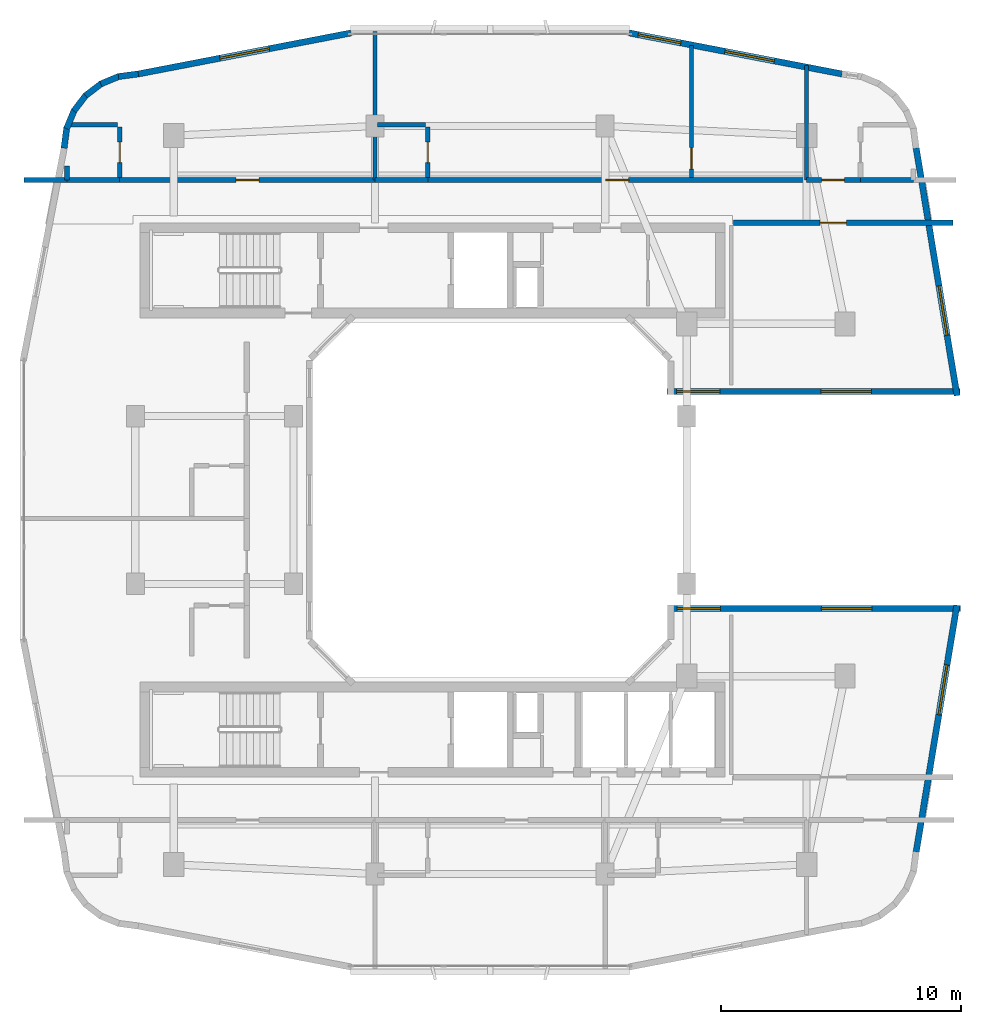
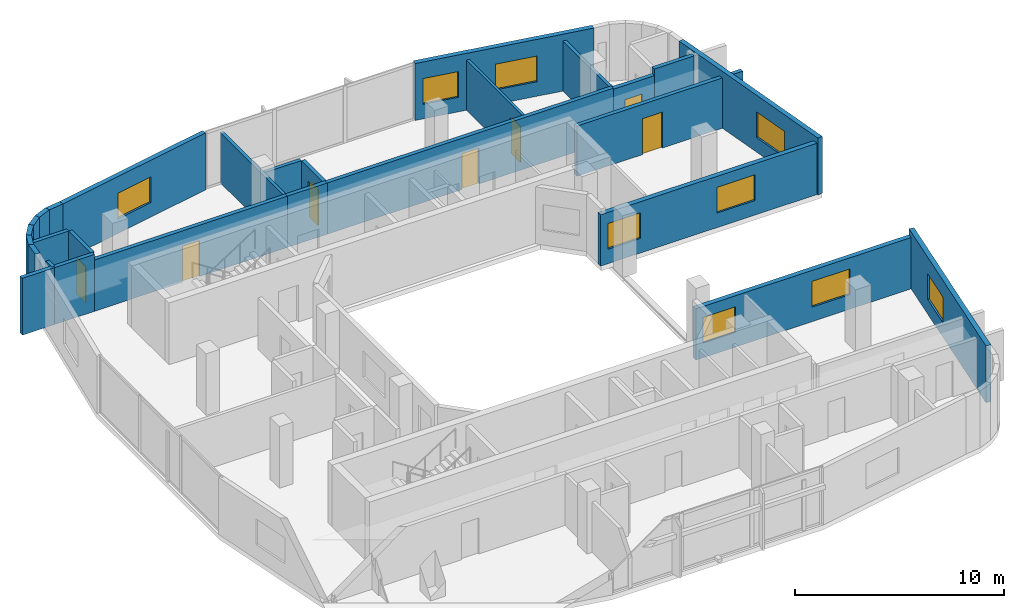
# One storey, part 7 of 12: 28 walls, 9 windows, 7 doors, 16 openings.
"""IFC4 building model written with IfcOpenShell, lengths in metres."""

import ifcopenshell
import ifcopenshell.guid

model = None  # the IFC model being written
_history = None  # IfcOwnerHistory: only IFC2X3 demands one
_inside = {}  # id of a spatial element -> (the spatial element, [elements in it])
_under = {}  # id of a project, library or spatial element -> (it, [spatial elements below it])
_declared = {}  # id of a project -> (the project, [libraries it declares])
_typed = {}  # id of a type object -> (the type object, [elements of that type])
_made_of = {}  # id of a material, layer set ... -> (it, [elements and type objects made of it])


def new_model(schema):
    """Start an empty IFC model of exactly this schema.

    Asked for "IFC4X3", IfcOpenShell would pick the latest addendum, in which some entities
    have other attributes; the version numbers below select the first issue.
    IFC2X3 requires an IfcOwnerHistory on every rooted entity: one is made here for all.
    """
    global model, _history
    if schema == "IFC4X3":
        model = ifcopenshell.file(schema_version=(4, 3, 0, 0))
    else:
        model = ifcopenshell.file(schema=schema)
    _inside.clear()
    _under.clear()
    _declared.clear()
    _typed.clear()
    _made_of.clear()
    _history = None
    if model.schema == "IFC2X3":
        org = make("IfcOrganization", Name="unknown")
        user = make(
            "IfcPersonAndOrganization",
            ThePerson=make("IfcPerson", FamilyName="unknown"),
            TheOrganization=org,
        )
        app = make(
            "IfcApplication",
            ApplicationDeveloper=org,
            Version="unknown",
            ApplicationFullName="unknown",
            ApplicationIdentifier="unknown",
        )
        _history = make(
            "IfcOwnerHistory",
            OwningUser=user,
            OwningApplication=app,
            ChangeAction="ADDED",
            CreationDate=0,
        )
    return model


def make(cls, **values):
    """One entity of the class cls with the attributes given. An attribute that is None is left unset."""
    return model.create_entity(
        cls, **{name: value for name, value in values.items() if value is not None}
    )


def rooted(cls, **values):
    """An entity with a GlobalId (a new one), such as an element, a storey or a relation."""
    return make(cls, GlobalId=ifcopenshell.guid.new(), OwnerHistory=_history, **values)


def si_unit(unit_type, name, prefix=None):
    """IfcSIUnit, for example si_unit("LENGTHUNIT", "METRE", prefix="MILLI")."""
    return make("IfcSIUnit", UnitType=unit_type, Prefix=prefix, Name=name)


def derived_unit(unit_type, elements):
    """IfcDerivedUnit: a product of units, each with its exponent."""
    return make(
        "IfcDerivedUnit",
        Elements=[
            make("IfcDerivedUnitElement", Unit=unit, Exponent=power)
            for unit, power in elements
        ],
        UnitType=unit_type,
    )


def assignment(units):
    """IfcUnitAssignment: the units of a project."""
    return None if units is None else make("IfcUnitAssignment", Units=units)


def point(xyz):
    """IfcCartesianPoint."""
    return None if xyz is None else make("IfcCartesianPoint", Coordinates=xyz)


def direction(xyz):
    """IfcDirection."""
    return None if xyz is None else make("IfcDirection", DirectionRatios=xyz)


def frame(location, z_axis=None, x_axis=None):
    """IfcAxis2Placement3D, a coordinate frame: its origin and axes. An axis left out is left unset."""
    return make(
        "IfcAxis2Placement3D",
        Location=point(location),
        Axis=direction(z_axis),
        RefDirection=direction(x_axis),
    )


def frame_2d(location, x_axis=None):
    """IfcAxis2Placement2D, a coordinate frame in the plane: its origin and x axis."""
    return make(
        "IfcAxis2Placement2D", Location=point(location), RefDirection=direction(x_axis)
    )


def origin():
    """The frame at (0, 0, 0) with its axes left unset."""
    return frame((0.0, 0.0, 0.0))


def place(relative_to, where):
    """IfcLocalPlacement: puts the frame where relative to a parent placement (None: the world)."""
    return make(
        "IfcLocalPlacement", PlacementRelTo=relative_to, RelativePlacement=where
    )


def context(
    kind, dimensions, precision=None, world=None, true_north=None, identifier=None
):
    """IfcGeometricRepresentationContext, for example the 3D "Model" context."""
    return make(
        "IfcGeometricRepresentationContext",
        ContextIdentifier=identifier,
        ContextType=kind,
        CoordinateSpaceDimension=dimensions,
        Precision=precision,
        WorldCoordinateSystem=world,
        TrueNorth=true_north,
    )


def subcontext(parent, identifier, kind, view, scale=None):
    """IfcGeometricRepresentationSubContext, for example "Body" below "Model"."""
    return make(
        "IfcGeometricRepresentationSubContext",
        ContextIdentifier=identifier,
        ContextType=kind,
        ParentContext=parent,
        TargetScale=scale,
        TargetView=view,
    )


def project(units=None, contexts=None):
    """IfcProject with its units and contexts."""
    return rooted(
        "IfcProject",
        Name="project",
        RepresentationContexts=contexts,
        UnitsInContext=assignment(units),
    )


def spatial(cls, under=None, at=None, **own):
    """A site, building, storey or space (cls), placed at a placement, below another one or the project."""
    s = rooted(cls, ObjectPlacement=at, **own)
    if under is not None:
        _under.setdefault(under.id(), (under, []))[1].append(s)
    return s


def profile(cls, at=None, kind="AREA", **sizes):
    """A parametric profile (cls). Its sizes go by their IFC names, for example OverallWidth=200.0."""
    return make(cls, ProfileType=kind, Position=at, **sizes)


def rectangle(**sizes):
    """IfcRectangleProfileDef."""
    return profile("IfcRectangleProfileDef", **sizes)


def extrude(swept, where, along, depth):
    """IfcExtrudedAreaSolid: the profile swept, set in the frame where, extruded along a direction by depth."""
    return make(
        "IfcExtrudedAreaSolid",
        SweptArea=swept,
        Position=where,
        ExtrudedDirection=direction(along),
        Depth=depth,
    )


def shape(context_of_items, identifier, shape_type, items):
    """IfcShapeRepresentation: the items that make up one representation, for example the "Body"."""
    return make(
        "IfcShapeRepresentation",
        ContextOfItems=context_of_items,
        RepresentationIdentifier=identifier,
        RepresentationType=shape_type,
        Items=items,
    )


def material(Name=None, Category=None):
    """IfcMaterial."""
    return make("IfcMaterial", Name=Name, Category=Category)


def layer(
    of_material, thickness, ventilated=None, Name=None, Category=None, Priority=None
):
    """IfcMaterialLayer: one layer of a wall or slab, of a material (None: an air gap)."""
    return make(
        "IfcMaterialLayer",
        Material=of_material,
        LayerThickness=thickness,
        IsVentilated=ventilated,
        Name=Name,
        Category=Category,
        Priority=Priority,
    )


def layer_set(layers, Name=None):
    """IfcMaterialLayerSet."""
    return make("IfcMaterialLayerSet", MaterialLayers=layers, LayerSetName=Name)


def made_of(thing, what):
    """Note that an element or type object is made of a material, layer set ...; save() writes the relation."""
    if what is not None:
        _made_of.setdefault(what.id(), (what, []))[1].append(thing)
    return thing


def type_object(cls, material=None, **own):
    """A type object (cls), such as IfcWallType, which elements share."""
    return made_of(rooted(cls, **own), material)


def element(
    cls,
    number,
    at=None,
    inside=None,
    cuts=None,
    type_object=None,
    material=None,
    context=None,
    identifier="Body",
    shape_type=None,
    held_by="IfcProductDefinitionShape",
    body=None,
    shapes=None,
    **own,
):
    """One element of the class cls, such as IfcWall. Its Tag is "e" and its number.

    at: its placement. inside: the storey or other place that contains it. cuts: it is an
    opening in that element (IfcRelVoidsElement). A single representation is given by context,
    identifier, shape_type and body (its items); several are given by shapes. held_by: the class
    of the entity that holds the representations. save() writes the other relations.
    """
    e = rooted(cls, Tag="e%d" % number, ObjectPlacement=at, **own)
    if body is not None:
        shapes = [shape(context, identifier, shape_type, body)]
    if shapes is not None:
        e.Representation = make(held_by, Representations=shapes)
    if inside is not None:
        _inside.setdefault(inside.id(), (inside, []))[1].append(e)
    if cuts is not None:
        rooted(
            "IfcRelVoidsElement", RelatingBuildingElement=cuts, RelatedOpeningElement=e
        )
    if type_object is not None:
        _typed.setdefault(type_object.id(), (type_object, []))[1].append(e)
    return made_of(e, material)


def fill(opening, filler):
    """IfcRelFillsElement: the door or window that sits in an opening."""
    return rooted(
        "IfcRelFillsElement",
        RelatingOpeningElement=opening,
        RelatedBuildingElement=filler,
    )


def aggregate(whole, parts):
    """IfcRelAggregates: a whole, such as a stair, and the parts it consists of."""
    return rooted("IfcRelAggregates", RelatingObject=whole, RelatedObjects=parts)


def save(model, path):
    """Write the relations noted so far, then the file.

    IfcRelAggregates (storeys below a building ...), IfcRelContainedInSpatialStructure (elements
    in a storey), IfcRelDefinesByType, IfcRelAssociatesMaterial and IfcRelDeclares: one each for
    every whole, place, type object, material and project.
    """
    for whole, parts in _under.values():
        aggregate(whole, parts)
    for where, things in _inside.values():
        rooted(
            "IfcRelContainedInSpatialStructure",
            RelatedElements=things,
            RelatingStructure=where,
        )
    for kind, things in _typed.values():
        rooted("IfcRelDefinesByType", RelatedObjects=things, RelatingType=kind)
    for what, things in _made_of.values():
        rooted("IfcRelAssociatesMaterial", RelatedObjects=things, RelatingMaterial=what)
    for by, libraries in _declared.values():
        rooted("IfcRelDeclares", RelatingContext=by, RelatedDefinitions=libraries)
    model.write(path)


model = new_model("IFC4")

# Units and contexts
model_context = context("Model", 3, precision=1e-05, world=origin(), true_north=direction((0.0, 1.0)))
body_context = subcontext(model_context, "Body", "Model", "MODEL_VIEW")
ifc_project = project(units=[si_unit("LENGTHUNIT", "METRE"), si_unit("AREAUNIT", "SQUARE_METRE"), si_unit("VOLUMEUNIT", "CUBIC_METRE"), si_unit("PLANEANGLEUNIT", "RADIAN"), si_unit("MASSUNIT", "GRAM", prefix="KILO"), derived_unit("THERMALTRANSMITTANCEUNIT", [(si_unit("POWERUNIT", "WATT"), 1), (si_unit("LENGTHUNIT", "METRE"), -2), (si_unit("THERMODYNAMICTEMPERATUREUNIT", "KELVIN"), -1)])], contexts=[model_context])

# Site, building, storey
site_placement = place(None, origin())
site = spatial("IfcSite", under=ifc_project, at=site_placement, CompositionType="ELEMENT")
building_placement = place(site_placement, origin())
building = spatial("IfcBuilding", under=site, at=building_placement, Name="Kivonza Crest Hotel", CompositionType="ELEMENT")
storey_placement = place(building_placement, frame((0.0, 0.0, 188.300048828125)))
storey = spatial("IfcBuildingStorey", under=building, at=storey_placement, Name="L51", CompositionType="ELEMENT", Elevation=188.300048828125)

# Walls
ifc_material_1 = material(Name="High-density acoustic masonry inter-tenancy wall", Category="masonry")
ifc_layer_1 = layer(ifc_material_1, 0.179931640625)
ifc_layer_set_1 = layer_set([ifc_layer_1], Name="High-density acoustic masonry inter-tenancy wall")
wall_type_1 = type_object("IfcWallType", Name="WL-ACOU-180", PredefinedType="SOLIDWALL", material=ifc_layer_set_1)
wall_1_placement = place(storey_placement, frame((16.199951171875, 38.35009765625, 0.0), z_axis=(0.0, 0.0, 1.0), x_axis=(0.0, 1.0, 0.0)))
element("IfcWall", 1, at=wall_1_placement, inside=storey, type_object=wall_type_1, Name="L51 interior partition WA-L51-T1N-DIV1", PredefinedType="SOLIDWALL", context=body_context, shape_type="SweptSolid", body=[
    extrude(rectangle(XDim=6.18994140625, YDim=0.179931640625, at=frame_2d((3.094970703125, 0.0))), origin(), (0.0, 0.0, 1.0), 2.93505859375),
])
wall_2_placement = place(storey_placement, frame((34.199951171875, 38.35009765625, 0.0), z_axis=(0.0, 0.0, 1.0), x_axis=(0.0, 1.0, 0.0)))
element("IfcWall", 2, at=wall_2_placement, inside=storey, type_object=wall_type_1, Name="L51 interior partition WA-L51-T1N-DIV2", PredefinedType="SOLIDWALL", context=body_context, shape_type="SweptSolid", body=[
    extrude(rectangle(XDim=4.77783203125, YDim=0.179931640625, at=frame_2d((2.388916015625, 0.0))), origin(), (0.0, 0.0, 1.0), 2.93505859375),
])
ifc_material_2 = material(Name="Autoclaved aerated concrete blockwork", Category="masonry")
ifc_layer_2 = layer(ifc_material_2, 0.219970703125)
ifc_layer_set_2 = layer_set([ifc_layer_2], Name="Autoclaved aerated concrete blockwork")
wall_type_2 = type_object("IfcWallType", Name="WL-ACOU-220", PredefinedType="SOLIDWALL", material=ifc_layer_set_2)
wall_3_placement = place(storey_placement, frame((1.56005859375, 38.35009765625, 0.0), z_axis=(0.0, 0.0, 1.0), x_axis=(1.0, 0.0, 0.0)))
element("IfcWall", 3, at=wall_3_placement, inside=storey, type_object=wall_type_2, Name="L51 interior partition WA-L51-N01-XCORR", PredefinedType="SOLIDWALL", context=body_context, shape_type="SweptSolid", body=[
    extrude(rectangle(XDim=1.7900390625, YDim=0.219970703125, at=frame_2d((0.89501953125, 0.0))), origin(), (0.0, 0.0, 1.0), 3.320068359375),
])
wall_4_placement = place(storey_placement, frame((3.35009765625, 38.35009765625, 0.0), z_axis=(0.0, 0.0, 1.0), x_axis=(1.0, 0.0, 0.0)))
element("IfcWall", 4, at=wall_4_placement, inside=storey, type_object=wall_type_2, Name="L51 interior partition WA-L51-N01-BCORR", PredefinedType="SOLIDWALL", context=body_context, shape_type="SweptSolid", body=[
    extrude(rectangle(XDim=2.199951171875, YDim=0.219970703125, at=frame_2d((1.10009765625, 0.0))), origin(), (0.0, 0.0, 1.0), 3.320068359375),
])

# Wall, opening, door
wall_5_placement = place(storey_placement, frame((5.550048828125, 38.35009765625, 0.0), z_axis=(0.0, 0.0, 1.0), x_axis=(1.0, 0.0, 0.0)))
wall_5 = element("IfcWall", 5, at=wall_5_placement, inside=storey, type_object=wall_type_2, Name="L51 interior partition WA-L51-N01-MCORR", PredefinedType="SOLIDWALL", context=body_context, shape_type="SweptSolid", body=[
    extrude(rectangle(XDim=10.64990234375, YDim=0.219970703125, at=frame_2d((5.324951171875, 0.0))), origin(), (0.0, 0.0, 1.0), 2.994873046875),
])
opening_1_placement = place(wall_5_placement, frame((4.85009765625, 0.0, 0.0)))
opening_1 = element("IfcOpeningElement", 6, at=opening_1_placement, cuts=wall_5, Name="Opening DU-60", PredefinedType="OPENING", context=body_context, shape_type="SweptSolid", body=[
    extrude(rectangle(XDim=0.949951171875, YDim=2.10009765625, at=frame_2d((0.47509765625, 1.050048828125))), frame((0.0, 0.1201171875, 0.0), z_axis=(0.0, -1.0, 0.0), x_axis=(1.0, 0.0, 0.0)), (0.0, 0.0, 1.0), 0.239990234375),
])
ifc_material_3 = material(Name="Hardwood timber oak", Category="wood")
door_type_1 = type_object("IfcDoorType", Name="DR-UNIT-950", OperationType="NOTDEFINED", PredefinedType="DOOR", material=ifc_material_3)
door_1_placement = place(opening_1_placement, origin())
door_1 = element("IfcDoor", 7, at=door_1_placement, inside=storey, type_object=door_type_1, Name="L51 N01 guest unit entrance fire door", OperationType="SINGLE_SWING_LEFT", OverallHeight=2.10009765625, OverallWidth=0.949951171875, PredefinedType="DOOR", context=body_context, shape_type="SweptSolid", body=[
    extrude(rectangle(XDim=0.949951171875, YDim=2.10009765625, at=frame_2d((0.47509765625, 1.050048828125))), frame((0.0, 0.02490234375, 0.0), z_axis=(0.0, -1.0, 0.0), x_axis=(1.0, 0.0, 0.0)), (0.0, 0.0, 1.0), 0.050048828125),
])
fill(opening_1, door_1)

# Wall
wall_6_placement = place(storey_placement, frame((16.199951171875, 38.35009765625, 0.0), z_axis=(0.0, 0.0, 1.0), x_axis=(1.0, 0.0, 0.0)))
element("IfcWall", 8, at=wall_6_placement, inside=storey, type_object=wall_type_2, Name="L51 interior partition WA-L51-N02-BCORR", PredefinedType="SOLIDWALL", context=body_context, shape_type="SweptSolid", body=[
    extrude(rectangle(XDim=2.199951171875, YDim=0.219970703125, at=frame_2d((1.10009765625, 0.0))), origin(), (0.0, 0.0, 1.0), 2.994873046875),
])

# Wall, opening, door
wall_7_placement = place(storey_placement, frame((18.39990234375, 38.35009765625, 0.0), z_axis=(0.0, 0.0, 1.0), x_axis=(1.0, 0.0, 0.0)))
wall_7 = element("IfcWall", 9, at=wall_7_placement, inside=storey, type_object=wall_type_2, Name="L51 interior partition WA-L51-N02-MCORR", PredefinedType="SOLIDWALL", context=body_context, shape_type="SweptSolid", body=[
    extrude(rectangle(XDim=15.800048828125, YDim=0.219970703125, at=frame_2d((7.89990234375, 0.0))), origin(), (0.0, 0.0, 1.0), 2.994873046875),
])
opening_2_placement = place(wall_7_placement, frame((7.425048828125, 0.0, 0.0)))
opening_2 = element("IfcOpeningElement", 10, at=opening_2_placement, cuts=wall_7, Name="Opening DU-60", PredefinedType="OPENING", context=body_context, shape_type="SweptSolid", body=[
    extrude(rectangle(XDim=0.949951171875, YDim=2.10009765625, at=frame_2d((0.47509765625, 1.050048828125))), frame((0.0, 0.1201171875, 0.0), z_axis=(0.0, -1.0, 0.0), x_axis=(1.0, 0.0, 0.0)), (0.0, 0.0, 1.0), 0.239990234375),
])
door_2_placement = place(opening_2_placement, origin())
door_2 = element("IfcDoor", 11, at=door_2_placement, inside=storey, type_object=door_type_1, Name="L51 N02 guest unit entrance fire door", OperationType="SINGLE_SWING_RIGHT", OverallHeight=2.10009765625, OverallWidth=0.949951171875, PredefinedType="DOOR", context=body_context, shape_type="SweptSolid", body=[
    extrude(rectangle(XDim=0.949951171875, YDim=2.10009765625, at=frame_2d((0.47509765625, 1.050048828125))), frame((0.0, 0.02490234375, 0.0), z_axis=(0.0, -1.0, 0.0), x_axis=(1.0, 0.0, 0.0)), (0.0, 0.0, 1.0), 0.050048828125),
])
fill(opening_2, door_2)

# Wall
wall_8_placement = place(storey_placement, frame((36.449951171875, 38.35009765625, 0.0), z_axis=(0.0, 0.0, 1.0), x_axis=(1.0, 0.0, 0.0)))
element("IfcWall", 12, at=wall_8_placement, inside=storey, type_object=wall_type_2, Name="L51 interior partition WA-L51-N03-BCORR", PredefinedType="SOLIDWALL", context=body_context, shape_type="SweptSolid", body=[
    extrude(rectangle(XDim=2.199951171875, YDim=0.219970703125, at=frame_2d((1.10009765625, 0.0))), origin(), (0.0, 0.0, 1.0), 3.320068359375),
])

# Wall, opening, door
wall_9_placement = place(storey_placement, frame((34.199951171875, 38.35009765625, 0.0), z_axis=(0.0, 0.0, 1.0), x_axis=(1.0, 0.0, 0.0)))
wall_9 = element("IfcWall", 13, at=wall_9_placement, inside=storey, type_object=wall_type_2, Name="L51 interior partition WA-L51-N03-MCORR", PredefinedType="SOLIDWALL", context=body_context, shape_type="SweptSolid", body=[
    extrude(rectangle(XDim=2.25, YDim=0.219970703125, at=frame_2d((1.125, 0.0))), origin(), (0.0, 0.0, 1.0), 2.93505859375),
])
opening_3_placement = place(wall_9_placement, frame((0.6298828125, 0.0, 0.0)))
opening_3 = element("IfcOpeningElement", 14, at=opening_3_placement, cuts=wall_9, Name="Opening DU-60", PredefinedType="OPENING", context=body_context, shape_type="SweptSolid", body=[
    extrude(rectangle(XDim=0.949951171875, YDim=2.10009765625, at=frame_2d((0.47509765625, 1.050048828125))), frame((0.0, 0.1201171875, 0.0), z_axis=(0.0, -1.0, 0.0), x_axis=(1.0, 0.0, 0.0)), (0.0, 0.0, 1.0), 0.239990234375),
])
door_3_placement = place(opening_3_placement, origin())
door_3 = element("IfcDoor", 15, at=door_3_placement, inside=storey, type_object=door_type_1, Name="L51 N03 guest unit entrance fire door", OperationType="SINGLE_SWING_LEFT", OverallHeight=2.10009765625, OverallWidth=0.949951171875, PredefinedType="DOOR", context=body_context, shape_type="SweptSolid", body=[
    extrude(rectangle(XDim=0.949951171875, YDim=2.10009765625, at=frame_2d((0.47509765625, 1.050048828125))), frame((0.0, 0.02490234375, 0.0), z_axis=(0.0, -1.0, 0.0), x_axis=(1.0, 0.0, 0.0)), (0.0, 0.0, 1.0), 0.050048828125),
])
fill(opening_3, door_3)

wall_10_placement = place(storey_placement, frame((31.14990234375, 36.56005859375, 0.0), z_axis=(0.0, 0.0, 1.0), x_axis=(1.0, 0.0, 0.0)))
wall_10 = element("IfcWall", 16, at=wall_10_placement, inside=storey, type_object=wall_type_2, Name="L51 interior partition WA-L51-EP2-N", PredefinedType="SOLIDWALL", context=body_context, shape_type="SweptSolid", body=[
    extrude(rectangle(XDim=9.150146484375, YDim=0.219970703125, at=frame_2d((4.5751953125, 0.0))), origin(), (0.0, 0.0, 1.0), 2.93505859375),
])
opening_4_placement = place(wall_10_placement, frame((3.612060546875, 0.0, 0.0)))
opening_4 = element("IfcOpeningElement", 17, at=opening_4_placement, cuts=wall_10, Name="Opening DF-60M", PredefinedType="OPENING", context=body_context, shape_type="SweptSolid", body=[
    extrude(rectangle(XDim=1.10009765625, YDim=2.10009765625, at=frame_2d((0.550048828125, 1.050048828125))), frame((0.0, 0.1201171875, 0.0), z_axis=(0.0, -1.0, 0.0), x_axis=(1.0, 0.0, 0.0)), (0.0, 0.0, 1.0), 0.239990234375),
])
door_type_2 = type_object("IfcDoorType", Name="DR-FD60-1100", OperationType="NOTDEFINED", PredefinedType="DOOR", material=ifc_material_3)
door_4_placement = place(opening_4_placement, frame((1.10009765625, 0.0, 0.0), z_axis=(0.0, 0.0, 1.0), x_axis=(-1.0, 0.0, 0.0)))
door_4 = element("IfcDoor", 18, at=door_4_placement, inside=storey, type_object=door_type_2, Name="L51 North Portal Sky Salon door", OperationType="SINGLE_SWING_LEFT", OverallHeight=2.10009765625, OverallWidth=1.10009765625, PredefinedType="DOOR", context=body_context, shape_type="SweptSolid", body=[
    extrude(rectangle(XDim=1.10009765625, YDim=2.10009765625, at=frame_2d((0.550048828125, 1.050048828125))), frame((0.0, 0.02490234375, 0.0), z_axis=(0.0, -1.0, 0.0), x_axis=(1.0, 0.0, 0.0)), (0.0, 0.0, 1.0), 0.050048828125),
])
fill(opening_4, door_4)

# Wall, opening, window
ifc_material_4 = material(Name="Precast concrete C40/50", Category="concrete")
ifc_layer_3 = layer(ifc_material_4, 0.260009765625)
ifc_layer_set_3 = layer_set([ifc_layer_3], Name="Precast concrete C40/50")
wall_type_3 = type_object("IfcWallType", Name="WL-EXT-260", PredefinedType="STANDARD", material=ifc_layer_set_3)
wall_11_placement = place(storey_placement, frame((38.77099609375, 10.31298828125, 0.0), z_axis=(0.0, 0.0, 1.0), x_axis=(0.16277908586, 0.986662540693, 0.0)))
wall_11 = element("IfcWall", 19, at=wall_11_placement, inside=storey, type_object=wall_type_3, Name="L51 T1 exterior insulated wall 16", PredefinedType="STANDARD", context=body_context, shape_type="SweptSolid", body=[
    extrude(rectangle(XDim=10.437255859375, YDim=0.260009765625, at=frame_2d((5.21875, 0.0))), origin(), (0.0, 0.0, 1.0), 3.320068359375),
])
opening_5_placement = place(wall_11_placement, frame((5.81005859375, 0.0, 0.85009765625)))
opening_5 = element("IfcOpeningElement", 20, at=opening_5_placement, cuts=wall_11, Name="Opening WN-04", PredefinedType="OPENING", context=body_context, shape_type="SweptSolid", body=[
    extrude(rectangle(XDim=2.10009765625, YDim=1.5, at=frame_2d((1.050048828125, 0.75))), frame((0.0, 0.14013671875, 0.0), z_axis=(0.0, -1.0, 0.0), x_axis=(1.0, 0.0, 0.0)), (0.0, 0.0, 1.0), 0.280029296875),
])
ifc_material_5 = material(Name="Thermally broken bronze aluminium and low-E double glazing", Category="aluminium")
window_type_1 = type_object("IfcWindowType", Name="WN-210x150", PartitioningType="DOUBLE_PANEL_VERTICAL", PredefinedType="WINDOW", material=ifc_material_5)
window_1_placement = place(opening_5_placement, origin())
window_1 = element("IfcWindow", 21, at=window_1_placement, inside=storey, type_object=window_type_1, Name="L51 T1 facade window 16", OverallHeight=1.5, OverallWidth=2.10009765625, PartitioningType="SINGLE_PANEL", PredefinedType="WINDOW", context=body_context, shape_type="SweptSolid", body=[
    extrude(rectangle(XDim=2.10009765625, YDim=1.5, at=frame_2d((1.050048828125, 0.75))), frame((0.0, 0.030029296875, 0.0), z_axis=(0.0, -1.0, 0.0), x_axis=(1.0, 0.0, 0.0)), (0.0, 0.0, 1.0), 0.06005859375),
])
fill(opening_5, window_1)

# Wall, openings, windows
wall_12_placement = place(storey_placement, frame((40.625, 20.469970703125, 0.0), z_axis=(0.0, 0.0, 1.0), x_axis=(-1.0, 0.0, 0.0)))
wall_12 = element("IfcWall", 22, at=wall_12_placement, inside=storey, type_object=wall_type_3, Name="L51 T1 exterior insulated wall 17", PredefinedType="STANDARD", context=body_context, shape_type="SweptSolid", body=[
    extrude(rectangle(XDim=12.215087890625, YDim=0.260009765625, at=frame_2d((6.107421875, 0.0))), origin(), (0.0, 0.0, 1.0), 2.994873046875),
])
opening_6_placement = place(wall_12_placement, frame((3.70703125, 0.0, 0.85009765625)))
opening_6 = element("IfcOpeningElement", 23, at=opening_6_placement, cuts=wall_12, Name="Opening WN-04", PredefinedType="OPENING", context=body_context, shape_type="SweptSolid", body=[
    extrude(rectangle(XDim=2.10009765625, YDim=1.5, at=frame_2d((1.050048828125, 0.75))), frame((0.0, 0.14013671875, 0.0), z_axis=(0.0, -1.0, 0.0), x_axis=(1.0, 0.0, 0.0)), (0.0, 0.0, 1.0), 0.280029296875),
])
opening_7_placement = place(wall_12_placement, frame((10.02490234375, 0.0, 0.85009765625)))
opening_7 = element("IfcOpeningElement", 24, at=opening_7_placement, cuts=wall_12, Name="Opening WN-03", PredefinedType="OPENING", context=body_context, shape_type="SweptSolid", body=[
    extrude(rectangle(XDim=1.800048828125, YDim=1.5, at=frame_2d((0.89990234375, 0.75))), frame((0.0, 0.14013671875, 0.0), z_axis=(0.0, -1.0, 0.0), x_axis=(1.0, 0.0, 0.0)), (0.0, 0.0, 1.0), 0.280029296875),
])
window_type_2 = type_object("IfcWindowType", Name="WN-180x150", PartitioningType="DOUBLE_PANEL_VERTICAL", PredefinedType="WINDOW", material=ifc_material_5)
window_2_placement = place(opening_7_placement, origin())
window_2 = element("IfcWindow", 25, at=window_2_placement, inside=storey, type_object=window_type_2, Name="L51 T1 facade window 17 bay 2", OverallHeight=1.5, OverallWidth=1.800048828125, PartitioningType="SINGLE_PANEL", PredefinedType="WINDOW", context=body_context, shape_type="SweptSolid", body=[
    extrude(rectangle(XDim=1.800048828125, YDim=1.5, at=frame_2d((0.89990234375, 0.75))), frame((0.0, 0.030029296875, 0.0), z_axis=(0.0, -1.0, 0.0), x_axis=(1.0, 0.0, 0.0)), (0.0, 0.0, 1.0), 0.06005859375),
])
fill(opening_7, window_2)
window_3_placement = place(opening_6_placement, origin())
window_3 = element("IfcWindow", 26, at=window_3_placement, inside=storey, type_object=window_type_1, Name="L51 T1 facade window 17 bay 1", OverallHeight=1.5, OverallWidth=2.10009765625, PartitioningType="SINGLE_PANEL", PredefinedType="WINDOW", context=body_context, shape_type="SweptSolid", body=[
    extrude(rectangle(XDim=2.10009765625, YDim=1.5, at=frame_2d((1.050048828125, 0.75))), frame((0.0, 0.030029296875, 0.0), z_axis=(0.0, -1.0, 0.0), x_axis=(1.0, 0.0, 0.0)), (0.0, 0.0, 1.0), 0.06005859375),
])
fill(opening_6, window_3)

wall_13_placement = place(storey_placement, frame((28.375, 29.530029296875, 0.0), z_axis=(0.0, 0.0, 1.0), x_axis=(1.0, 0.0, 0.0)))
wall_13 = element("IfcWall", 27, at=wall_13_placement, inside=storey, type_object=wall_type_3, Name="L51 T1 exterior insulated wall 27", PredefinedType="STANDARD", context=body_context, shape_type="SweptSolid", body=[
    extrude(rectangle(XDim=12.215087890625, YDim=0.260009765625, at=frame_2d((6.107421875, 0.0))), origin(), (0.0, 0.0, 1.0), 2.994873046875),
])
opening_8_placement = place(wall_13_placement, frame((0.407958984375, 0.0, 0.85009765625)))
opening_8 = element("IfcOpeningElement", 28, at=opening_8_placement, cuts=wall_13, Name="Opening WN-03", PredefinedType="OPENING", context=body_context, shape_type="SweptSolid", body=[
    extrude(rectangle(XDim=1.800048828125, YDim=1.5, at=frame_2d((0.89990234375, 0.75))), frame((0.0, 0.14013671875, 0.0), z_axis=(0.0, -1.0, 0.0), x_axis=(1.0, 0.0, 0.0)), (0.0, 0.0, 1.0), 0.280029296875),
])
opening_9_placement = place(wall_13_placement, frame((6.425048828125, 0.0, 0.85009765625)))
opening_9 = element("IfcOpeningElement", 29, at=opening_9_placement, cuts=wall_13, Name="Opening WN-04", PredefinedType="OPENING", context=body_context, shape_type="SweptSolid", body=[
    extrude(rectangle(XDim=2.10009765625, YDim=1.5, at=frame_2d((1.050048828125, 0.75))), frame((0.0, 0.14013671875, 0.0), z_axis=(0.0, -1.0, 0.0), x_axis=(1.0, 0.0, 0.0)), (0.0, 0.0, 1.0), 0.280029296875),
])
window_4_placement = place(opening_8_placement, origin())
window_4 = element("IfcWindow", 30, at=window_4_placement, inside=storey, type_object=window_type_2, Name="L51 T1 facade window 27 bay 1", OverallHeight=1.5, OverallWidth=1.800048828125, PartitioningType="SINGLE_PANEL", PredefinedType="WINDOW", context=body_context, shape_type="SweptSolid", body=[
    extrude(rectangle(XDim=1.800048828125, YDim=1.5, at=frame_2d((0.89990234375, 0.75))), frame((0.0, 0.030029296875, 0.0), z_axis=(0.0, -1.0, 0.0), x_axis=(1.0, 0.0, 0.0)), (0.0, 0.0, 1.0), 0.06005859375),
])
fill(opening_8, window_4)
window_5_placement = place(opening_9_placement, origin())
window_5 = element("IfcWindow", 31, at=window_5_placement, inside=storey, type_object=window_type_1, Name="L51 T1 facade window 27 bay 2", OverallHeight=1.5, OverallWidth=2.10009765625, PartitioningType="SINGLE_PANEL", PredefinedType="WINDOW", context=body_context, shape_type="SweptSolid", body=[
    extrude(rectangle(XDim=2.10009765625, YDim=1.5, at=frame_2d((1.050048828125, 0.75))), frame((0.0, 0.030029296875, 0.0), z_axis=(0.0, -1.0, 0.0), x_axis=(1.0, 0.0, 0.0)), (0.0, 0.0, 1.0), 0.06005859375),
])
fill(opening_9, window_5)

# Wall, opening, window
wall_14_placement = place(storey_placement, frame((40.47607421875, 29.35400390625, 0.0), z_axis=(0.0, 0.0, 1.0), x_axis=(-0.162811037825, 0.986657268742, 0.0)))
wall_14 = element("IfcWall", 32, at=wall_14_placement, inside=storey, type_object=wall_type_3, Name="L51 T1 exterior insulated wall 28", PredefinedType="STANDARD", context=body_context, shape_type="SweptSolid", body=[
    extrude(rectangle(XDim=10.47265625, YDim=0.260009765625, at=frame_2d((5.236328125, 0.0))), origin(), (0.0, 0.0, 1.0), 3.320068359375),
])
opening_10_placement = place(wall_14_placement, frame((2.544921875, 0.0, 0.85009765625)))
opening_10 = element("IfcOpeningElement", 33, at=opening_10_placement, cuts=wall_14, Name="Opening WN-04", PredefinedType="OPENING", context=body_context, shape_type="SweptSolid", body=[
    extrude(rectangle(XDim=2.10009765625, YDim=1.5, at=frame_2d((1.050048828125, 0.75))), frame((0.0, 0.14013671875, 0.0), z_axis=(0.0, -1.0, 0.0), x_axis=(1.0, 0.0, 0.0)), (0.0, 0.0, 1.0), 0.280029296875),
])
window_6_placement = place(opening_10_placement, origin())
window_6 = element("IfcWindow", 34, at=window_6_placement, inside=storey, type_object=window_type_1, Name="L51 T1 facade window 28", OverallHeight=1.5, OverallWidth=2.10009765625, PartitioningType="SINGLE_PANEL", PredefinedType="WINDOW", context=body_context, shape_type="SweptSolid", body=[
    extrude(rectangle(XDim=2.10009765625, YDim=1.5, at=frame_2d((1.050048828125, 0.75))), frame((0.0, 0.030029296875, 0.0), z_axis=(0.0, -1.0, 0.0), x_axis=(1.0, 0.0, 0.0)), (0.0, 0.0, 1.0), 0.06005859375),
])
fill(opening_10, window_6)

# Wall, openings, windows
wall_15_placement = place(storey_placement, frame((35.68310546875, 42.77001953125, 0.0), z_axis=(0.0, 0.0, 1.0), x_axis=(-0.98192801022, 0.189254809039, 0.0)))
wall_15 = element("IfcWall", 35, at=wall_15_placement, inside=storey, type_object=wall_type_3, Name="L51 T1 exterior insulated wall 35", PredefinedType="STANDARD", context=body_context, shape_type="SweptSolid", body=[
    extrude(rectangle(XDim=9.045654296875, YDim=0.260009765625, at=frame_2d((4.52294921875, 0.0))), origin(), (0.0, 0.0, 1.0), 3.320068359375),
])
opening_11_placement = place(wall_15_placement, frame((2.8798828125, 0.0, 0.85009765625)))
opening_11 = element("IfcOpeningElement", 36, at=opening_11_placement, cuts=wall_15, Name="Opening WN-04", PredefinedType="OPENING", context=body_context, shape_type="SweptSolid", body=[
    extrude(rectangle(XDim=2.10009765625, YDim=1.5, at=frame_2d((1.050048828125, 0.75))), frame((0.0, 0.14013671875, 0.0), z_axis=(0.0, -1.0, 0.0), x_axis=(1.0, 0.0, 0.0)), (0.0, 0.0, 1.0), 0.280029296875),
])
opening_12_placement = place(wall_15_placement, frame((6.85888671875, 0.0, 0.85009765625)))
opening_12 = element("IfcOpeningElement", 37, at=opening_12_placement, cuts=wall_15, Name="Opening WN-03", PredefinedType="OPENING", context=body_context, shape_type="SweptSolid", body=[
    extrude(rectangle(XDim=1.800048828125, YDim=1.5, at=frame_2d((0.89990234375, 0.75))), frame((0.0, 0.14013671875, 0.0), z_axis=(0.0, -1.0, 0.0), x_axis=(1.0, 0.0, 0.0)), (0.0, 0.0, 1.0), 0.280029296875),
])
window_7_placement = place(opening_12_placement, origin())
window_7 = element("IfcWindow", 38, at=window_7_placement, inside=storey, type_object=window_type_2, Name="L51 T1 facade window 35 bay 2", OverallHeight=1.5, OverallWidth=1.800048828125, PartitioningType="SINGLE_PANEL", PredefinedType="WINDOW", context=body_context, shape_type="SweptSolid", body=[
    extrude(rectangle(XDim=1.800048828125, YDim=1.5, at=frame_2d((0.89990234375, 0.75))), frame((0.0, 0.030029296875, 0.0), z_axis=(0.0, -1.0, 0.0), x_axis=(1.0, 0.0, 0.0)), (0.0, 0.0, 1.0), 0.06005859375),
])
fill(opening_12, window_7)
window_8_placement = place(opening_11_placement, origin())
window_8 = element("IfcWindow", 39, at=window_8_placement, inside=storey, type_object=window_type_1, Name="L51 T1 facade window 35 bay 1", OverallHeight=1.5, OverallWidth=2.10009765625, PartitioningType="SINGLE_PANEL", PredefinedType="WINDOW", context=body_context, shape_type="SweptSolid", body=[
    extrude(rectangle(XDim=2.10009765625, YDim=1.5, at=frame_2d((1.050048828125, 0.75))), frame((0.0, 0.030029296875, 0.0), z_axis=(0.0, -1.0, 0.0), x_axis=(1.0, 0.0, 0.0)), (0.0, 0.0, 1.0), 0.06005859375),
])
fill(opening_11, window_8)

# Wall, opening, window
wall_16_placement = place(storey_placement, frame((15.198974609375, 44.48193359375, 0.0), z_axis=(0.0, 0.0, 1.0), x_axis=(-0.98192801022, -0.189254809039, 0.0)))
wall_16 = element("IfcWall", 40, at=wall_16_placement, inside=storey, type_object=wall_type_3, Name="L51 T1 exterior insulated wall 37", PredefinedType="STANDARD", context=body_context, shape_type="SweptSolid", body=[
    extrude(rectangle(XDim=9.045654296875, YDim=0.260009765625, at=frame_2d((4.52294921875, 0.0))), origin(), (0.0, 0.0, 1.0), 3.320068359375),
])
opening_13_placement = place(wall_16_placement, frame((3.472900390625, 0.0, 0.85009765625)))
opening_13 = element("IfcOpeningElement", 41, at=opening_13_placement, cuts=wall_16, Name="Opening WN-04", PredefinedType="OPENING", context=body_context, shape_type="SweptSolid", body=[
    extrude(rectangle(XDim=2.10009765625, YDim=1.5, at=frame_2d((1.050048828125, 0.75))), frame((0.0, 0.14013671875, 0.0), z_axis=(0.0, -1.0, 0.0), x_axis=(1.0, 0.0, 0.0)), (0.0, 0.0, 1.0), 0.280029296875),
])
window_9_placement = place(opening_13_placement, origin())
window_9 = element("IfcWindow", 42, at=window_9_placement, inside=storey, type_object=window_type_1, Name="L51 T1 facade window 37", OverallHeight=1.5, OverallWidth=2.10009765625, PartitioningType="SINGLE_PANEL", PredefinedType="WINDOW", context=body_context, shape_type="SweptSolid", body=[
    extrude(rectangle(XDim=2.10009765625, YDim=1.5, at=frame_2d((1.050048828125, 0.75))), frame((0.0, 0.030029296875, 0.0), z_axis=(0.0, -1.0, 0.0), x_axis=(1.0, 0.0, 0.0)), (0.0, 0.0, 1.0), 0.06005859375),
])
fill(opening_13, window_9)

# Walls
wall_17_placement = place(storey_placement, frame((6.324951171875, 42.77197265625, 0.0), z_axis=(0.0, 0.0, 1.0), x_axis=(-0.99142134712, -0.130704676564, 0.0)))
element("IfcWall", 43, at=wall_17_placement, inside=storey, type_object=wall_type_3, Name="L51 T1 exterior insulated wall 38", PredefinedType="STANDARD", context=body_context, shape_type="SweptSolid", body=[
    extrude(rectangle(XDim=0.8330078125, YDim=0.260009765625, at=frame_2d((0.41650390625, 0.0))), origin(), (0.0, 0.0, 1.0), 3.320068359375),
])
wall_18_placement = place(storey_placement, frame((5.544921875, 42.680908203125, 0.0), z_axis=(0.0, 0.0, 1.0), x_axis=(-0.923712395518, -0.383086687796, 0.0)))
element("IfcWall", 44, at=wall_18_placement, inside=storey, type_object=wall_type_3, Name="L51 T1 exterior insulated wall 39", PredefinedType="STANDARD", context=body_context, shape_type="SweptSolid", body=[
    extrude(rectangle(XDim=0.850830078125, YDim=0.260009765625, at=frame_2d((0.42529296875, 0.0))), origin(), (0.0, 0.0, 1.0), 3.320068359375),
])
for number, where, z_axis, x_axis, name in (
    (45, (4.799072265625, 42.383056640625, 0.0), (0.0, 0.0, 1.0), (-0.793860452124, -0.608099977432, 0.0), "L51 T1 exterior insulated wall 40"),
    (46, (4.155029296875, 41.904052734375, 0.0), (0.0, 0.0, 1.0), (-0.608099977432, -0.793860452124, 0.0), "L51 T1 exterior insulated wall 41"),
):
    element("IfcWall", number, at=place(storey_placement, frame(where, z_axis=z_axis, x_axis=x_axis)), inside=storey, type_object=wall_type_3, Name=name, PredefinedType="STANDARD", context=body_context, shape_type="SweptSolid", body=[
        extrude(rectangle(XDim=0.850341796875, YDim=0.260009765625, at=frame_2d((0.42529296875, 0.0))), origin(), (0.0, 0.0, 1.0), 3.320068359375),
    ])
wall_19_placement = place(storey_placement, frame((3.658935546875, 41.27294921875, 0.0), z_axis=(0.0, 0.0, 1.0), x_axis=(-0.383086687796, -0.923712395518, 0.0)))
element("IfcWall", 47, at=wall_19_placement, inside=storey, type_object=wall_type_3, Name="L51 T1 exterior insulated wall 42", PredefinedType="STANDARD", context=body_context, shape_type="SweptSolid", body=[
    extrude(rectangle(XDim=0.850830078125, YDim=0.260009765625, at=frame_2d((0.42529296875, 0.0))), origin(), (0.0, 0.0, 1.0), 3.320068359375),
])
wall_20_placement = place(storey_placement, frame((3.341064453125, 40.535888671875, 0.0), z_axis=(0.0, 0.0, 1.0), x_axis=(-0.130192647656, -0.991488716273, 0.0)))
element("IfcWall", 48, at=wall_20_placement, inside=storey, type_object=wall_type_3, Name="L51 T1 exterior insulated wall 43", PredefinedType="STANDARD", context=body_context, shape_type="SweptSolid", body=[
    extrude(rectangle(XDim=0.8681640625, YDim=0.260009765625, at=frame_2d((0.43408203125, 0.0))), origin(), (0.0, 0.0, 1.0), 3.320068359375),
])

# Wall, opening, door
ifc_material_6 = material(Name="Twin-stud acoustic gypsum board partition", Category="gypsum")
ifc_layer_4 = layer(ifc_material_6, 0.14990234375)
ifc_layer_set_4 = layer_set([ifc_layer_4], Name="Twin-stud acoustic gypsum board partition")
wall_type_4 = type_object("IfcWallType", Name="WL-PART-150", PredefinedType="PARTITIONING", material=ifc_layer_set_4)
wall_21_placement = place(storey_placement, frame((29.39990234375, 38.449951171875, 0.0), z_axis=(0.0, 0.0, 1.0), x_axis=(0.0, 1.0, 0.0)))
wall_21 = element("IfcWall", 49, at=wall_21_placement, inside=storey, type_object=wall_type_4, Name="L51 interior partition WP-L51-N02-SPSP", PredefinedType="PARTITIONING", context=body_context, shape_type="SweptSolid", body=[
    extrude(rectangle(XDim=5.5029296875, YDim=0.14990234375, at=frame_2d((2.75146484375, 0.0))), origin(), (0.0, 0.0, 1.0), 2.93505859375),
])
opening_14_placement = place(wall_21_placement, frame((0.35009765625, 0.0, 0.0)))
opening_14 = element("IfcOpeningElement", 50, at=opening_14_placement, cuts=wall_21, Name="Opening DI-90", PredefinedType="OPENING", context=body_context, shape_type="SweptSolid", body=[
    extrude(rectangle(XDim=0.89990234375, YDim=2.10009765625, at=frame_2d((0.449951171875, 1.050048828125))), frame((0.0, 0.0849609375, 0.0), z_axis=(0.0, -1.0, 0.0), x_axis=(1.0, 0.0, 0.0)), (0.0, 0.0, 1.0), 0.169921875),
])
door_type_3 = type_object("IfcDoorType", Name="DR-INT-900", OperationType="NOTDEFINED", PredefinedType="DOOR", material=ifc_material_3)
door_5_placement = place(opening_14_placement, origin())
door_5 = element("IfcDoor", 51, at=door_5_placement, inside=storey, type_object=door_type_3, Name="L51 N02 suite bedroom door", OperationType="SINGLE_SWING_LEFT", OverallHeight=2.10009765625, OverallWidth=0.89990234375, PredefinedType="DOOR", context=body_context, shape_type="SweptSolid", body=[
    extrude(rectangle(XDim=0.89990234375, YDim=2.10009765625, at=frame_2d((0.449951171875, 1.050048828125))), frame((0.0, 0.02490234375, 0.0), z_axis=(0.0, -1.0, 0.0), x_axis=(1.0, 0.0, 0.0)), (0.0, 0.0, 1.0), 0.050048828125),
])
fill(opening_14, door_5)

ifc_material_7 = material(Name="Moisture-resistant plumbing chase partition wall", Category="gypsum")
ifc_layer_5 = layer(ifc_material_7, 0.199951171875)
ifc_layer_set_5 = layer_set([ifc_layer_5], Name="Moisture-resistant plumbing chase partition wall")
wall_type_5 = type_object("IfcWallType", Name="WL-PLUMB-200", PredefinedType="PLUMBINGWALL", material=ifc_layer_set_5)
wall_22_placement = place(storey_placement, frame((5.550048828125, 38.449951171875, 0.0), z_axis=(0.0, 0.0, 1.0), x_axis=(0.0, 1.0, 0.0)))
wall_22 = element("IfcWall", 52, at=wall_22_placement, inside=storey, type_object=wall_type_5, Name="L51 interior partition WW-L51-N01-BV", PredefinedType="PLUMBINGWALL", context=body_context, shape_type="SweptSolid", body=[
    extrude(rectangle(XDim=2.10009765625, YDim=0.199951171875, at=frame_2d((1.050048828125, 0.0))), origin(), (0.0, 0.0, 1.0), 3.320068359375),
])
opening_15_placement = place(wall_22_placement, frame((0.625, 0.0, 0.0)))
opening_15 = element("IfcOpeningElement", 53, at=opening_15_placement, cuts=wall_22, Name="Opening DI-85", PredefinedType="OPENING", context=body_context, shape_type="SweptSolid", body=[
    extrude(rectangle(XDim=0.85009765625, YDim=2.10009765625, at=frame_2d((0.425048828125, 1.050048828125))), frame((0.0, 0.10986328125, 0.0), z_axis=(0.0, -1.0, 0.0), x_axis=(1.0, 0.0, 0.0)), (0.0, 0.0, 1.0), 0.219970703125),
])
door_type_4 = type_object("IfcDoorType", Name="DR-INT-850", OperationType="NOTDEFINED", PredefinedType="DOOR", material=ifc_material_3)
door_6_placement = place(opening_15_placement, frame((0.85009765625, 0.0, 0.0), z_axis=(0.0, 0.0, 1.0), x_axis=(-1.0, 0.0, 0.0)))
door_6 = element("IfcDoor", 54, at=door_6_placement, inside=storey, type_object=door_type_4, Name="L51 N01 en-suite bathroom door", OperationType="SINGLE_SWING_RIGHT", OverallHeight=2.10009765625, OverallWidth=0.85009765625, PredefinedType="DOOR", context=body_context, shape_type="SweptSolid", body=[
    extrude(rectangle(XDim=0.85009765625, YDim=2.10009765625, at=frame_2d((0.425048828125, 1.050048828125))), frame((0.0, 0.02490234375, 0.0), z_axis=(0.0, -1.0, 0.0), x_axis=(1.0, 0.0, 0.0)), (0.0, 0.0, 1.0), 0.050048828125),
])
fill(opening_15, door_6)

# Walls
wall_23_placement = place(storey_placement, frame((3.449951171875, 40.64990234375, 0.0), z_axis=(0.0, 0.0, 1.0), x_axis=(1.0, 0.0, 0.0)))
element("IfcWall", 55, at=wall_23_placement, inside=storey, type_object=wall_type_5, Name="L51 interior partition WW-L51-N01-BH", PredefinedType="PLUMBINGWALL", context=body_context, shape_type="SweptSolid", body=[
    extrude(rectangle(XDim=2.0, YDim=0.199951171875, at=frame_2d((1.0, 0.0))), origin(), (0.0, 0.0, 1.0), 3.320068359375),
])
wall_24_placement = place(storey_placement, frame((3.35009765625, 38.35009765625, 0.0), z_axis=(0.0, 0.0, 1.0), x_axis=(0.0, 1.0, 0.0)))
element("IfcWall", 56, at=wall_24_placement, inside=storey, type_object=wall_type_5, Name="L51 interior partition WW-L51-N01-BVW", PredefinedType="PLUMBINGWALL", context=body_context, shape_type="SweptSolid", body=[
    extrude(rectangle(XDim=0.576904296875, YDim=0.199951171875, at=frame_2d((0.28857421875, 0.0))), origin(), (0.0, 0.0, 1.0), 3.320068359375),
])

# Wall, opening, door
wall_25_placement = place(storey_placement, frame((18.39990234375, 38.449951171875, 0.0), z_axis=(0.0, 0.0, 1.0), x_axis=(0.0, 1.0, 0.0)))
wall_25 = element("IfcWall", 57, at=wall_25_placement, inside=storey, type_object=wall_type_5, Name="L51 interior partition WW-L51-N02-BV", PredefinedType="PLUMBINGWALL", context=body_context, shape_type="SweptSolid", body=[
    extrude(rectangle(XDim=2.10009765625, YDim=0.199951171875, at=frame_2d((1.050048828125, 0.0))), origin(), (0.0, 0.0, 1.0), 2.93505859375),
])
opening_16_placement = place(wall_25_placement, frame((0.625, 0.0, 0.0)))
opening_16 = element("IfcOpeningElement", 58, at=opening_16_placement, cuts=wall_25, Name="Opening DI-85", PredefinedType="OPENING", context=body_context, shape_type="SweptSolid", body=[
    extrude(rectangle(XDim=0.85009765625, YDim=2.10009765625, at=frame_2d((0.425048828125, 1.050048828125))), frame((0.0, 0.10986328125, 0.0), z_axis=(0.0, -1.0, 0.0), x_axis=(1.0, 0.0, 0.0)), (0.0, 0.0, 1.0), 0.219970703125),
])
door_7_placement = place(opening_16_placement, frame((0.85009765625, 0.0, 0.0), z_axis=(0.0, 0.0, 1.0), x_axis=(-1.0, 0.0, 0.0)))
door_7 = element("IfcDoor", 59, at=door_7_placement, inside=storey, type_object=door_type_4, Name="L51 N02 en-suite bathroom door", OperationType="SINGLE_SWING_LEFT", OverallHeight=2.10009765625, OverallWidth=0.85009765625, PredefinedType="DOOR", context=body_context, shape_type="SweptSolid", body=[
    extrude(rectangle(XDim=0.85009765625, YDim=2.10009765625, at=frame_2d((0.425048828125, 1.050048828125))), frame((0.0, 0.02490234375, 0.0), z_axis=(0.0, -1.0, 0.0), x_axis=(1.0, 0.0, 0.0)), (0.0, 0.0, 1.0), 0.050048828125),
])
fill(opening_16, door_7)

# Wall
wall_26_placement = place(storey_placement, frame((16.300048828125, 40.64990234375, 0.0), z_axis=(0.0, 0.0, 1.0), x_axis=(1.0, 0.0, 0.0)))
element("IfcWall", 60, at=wall_26_placement, inside=storey, type_object=wall_type_5, Name="L51 interior partition WW-L51-N02-BH", PredefinedType="PLUMBINGWALL", context=body_context, shape_type="SweptSolid", body=[
    extrude(rectangle(XDim=2.0, YDim=0.199951171875, at=frame_2d((1.0, 0.0))), origin(), (0.0, 0.0, 1.0), 2.93505859375),
])

save(model, "model.ifc")
